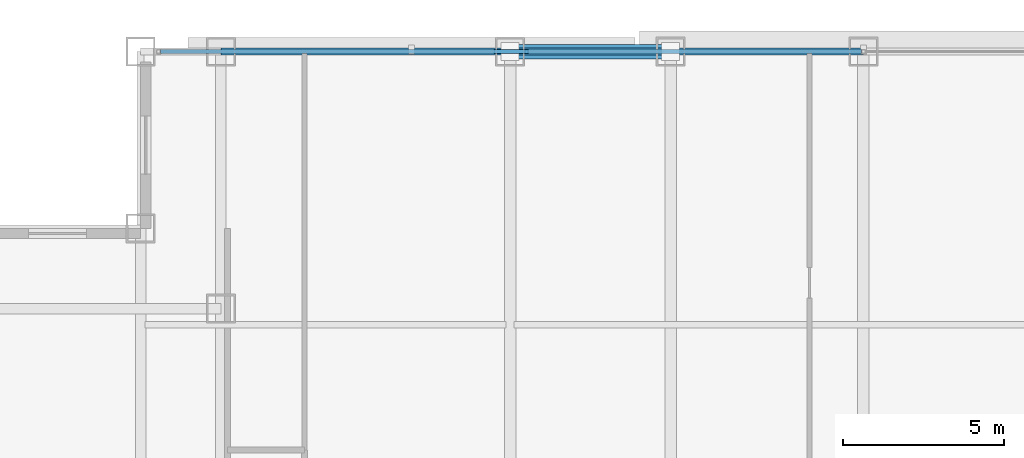
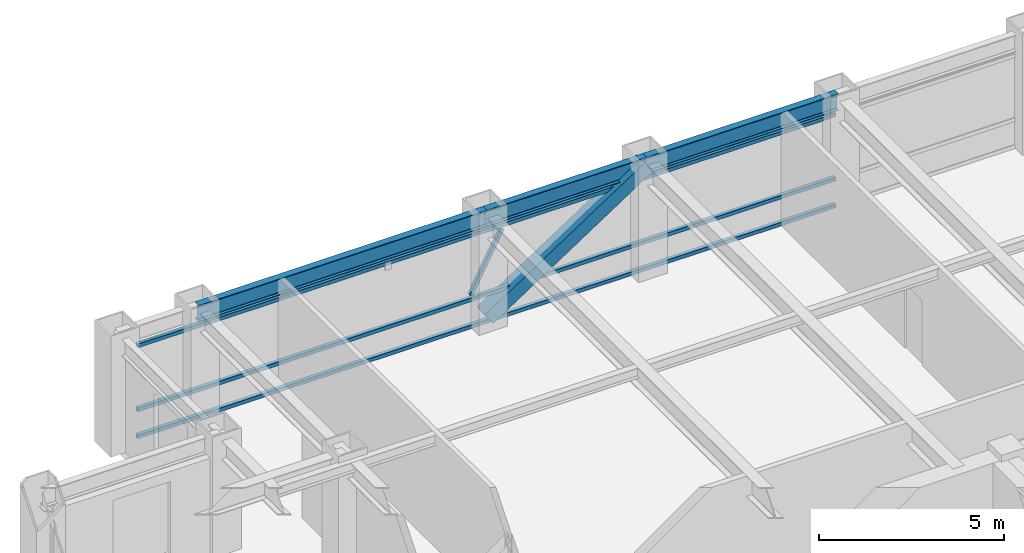
# One storey, part 13 of 27: 5 members, 3 beams, 1 element without a shape of its own.
"""IFC4 building model written with IfcOpenShell, lengths in metres."""

from ifc_helpers import new_model, si_unit, direction, frame, origin, origin_2d, place, context, subcontext, project, spatial, hollow_rectangle, i_section, extrude, source, transform, mapped, material, material_profile, profile_set, type_object, element, aggregate, save


model = new_model("IFC4")

# Units and contexts
model_context = context("Model", 3, precision=1e-05, world=origin(), true_north=direction((0.0, 1.0)))
body_context = subcontext(model_context, "Body", "Model", "MODEL_VIEW")
ifc_project = project(units=[si_unit("LENGTHUNIT", "METRE"), si_unit("AREAUNIT", "SQUARE_METRE"), si_unit("VOLUMEUNIT", "CUBIC_METRE"), si_unit("PLANEANGLEUNIT", "RADIAN"), si_unit("MASSUNIT", "GRAM", prefix="KILO")], contexts=[model_context])

# Site, building, storey
site_placement = place(None, origin())
site = spatial("IfcSite", under=ifc_project, at=site_placement, CompositionType="ELEMENT")
building_placement = place(site_placement, origin())
building = spatial("IfcBuilding", under=site, at=building_placement, Name="Khorayat Bourse Tower", CompositionType="ELEMENT")
storey_placement = place(building_placement, frame((0.0, 0.0, 313.5)))
storey = spatial("IfcBuildingStorey", under=building, at=storey_placement, Name="L74", CompositionType="ELEMENT", Elevation=313.5)

# Member
ifc_material_1 = material(Name="Steel EN 10025-4 S460M", Category="steel")
ifc_material_profile_1 = material_profile(ifc_material_1, hollow_rectangle(XDim=0.449951171875, YDim=0.449951171875, WallThickness=0.02490234375, at=origin_2d()), Name="HSS 450x450x25")
ifc_profile_set_1 = profile_set([ifc_material_profile_1], Name="Steel EN 10025-4 S460M")
member_type_1 = type_object("IfcMemberType", Name="MBR-TUBE-450", PredefinedType="BRACE", material=ifc_profile_set_1)
shared_shape_1 = source(origin(), body_context, "Body", "SweptSolid", [
    extrude(hollow_rectangle(XDim=0.449951171875, YDim=0.449951171875, WallThickness=0.02490234375, at=origin_2d()), origin(), (0.0, 0.0, 1.0), 5.979736328125),
])
member_1_placement = place(storey_placement, frame((-11.0, 28.0, 0.25), z_axis=(0.836141536525, 0.0, 0.548513747227), x_axis=(0.0, 1.0, 0.0)))
element("IfcMember", 1, at=member_1_placement, inside=storey, type_object=member_type_1, Name="L74 Perimeter Tube Brace 03", PredefinedType="BRACE", context=body_context, shape_type="MappedRepresentation", body=[
    mapped(shared_shape_1, transform((0.0, 0.0, 0.0), scale=1.0)),
])

# Beams
ifc_material_2 = material(Name="Steel ASTM A992 Grade 50", Category="steel")
ifc_material_profile_2 = material_profile(ifc_material_2, i_section(OverallWidth=0.214111328125, OverallDepth=0.549072265625, WebThickness=0.0146484375, FlangeThickness=0.023681640625, FilletRadius=0.013916015625, at=origin_2d()), Name="W530X138")
ifc_profile_set_2 = profile_set([ifc_material_profile_2], Name="Steel ASTM A992 Grade 50")
beam_type = type_object("IfcBeamType", Name="BM-SPAN-530", PredefinedType="SPANDREL", material=ifc_profile_set_2)
shared_shape_2 = source(origin(), body_context, "Body", "SweptSolid", [
    extrude(i_section(OverallWidth=0.214111328125, OverallDepth=0.549072265625, WebThickness=0.0146484375, FlangeThickness=0.023681640625, FilletRadius=0.013916015625, at=origin_2d()), origin(), (0.0, 0.0, 1.0), 9.0),
])
beam_1_placement = place(storey_placement, frame((-20.0, 28.0, 3.505615234375), z_axis=(1.0, 0.0, 0.0), x_axis=(0.0, 1.0, 0.0)))
element("IfcBeam", 2, at=beam_1_placement, inside=storey, type_object=beam_type, Name="L74 BM-SPAN-530 BM-L74-SPN-050", PredefinedType="SPANDREL", context=body_context, shape_type="MappedRepresentation", body=[
    mapped(shared_shape_2, transform((0.0, 0.0, 0.0), scale=1.0)),
])
shared_shape_3 = source(origin(), body_context, "Body", "SweptSolid", [
    extrude(i_section(OverallWidth=0.214111328125, OverallDepth=0.549072265625, WebThickness=0.0146484375, FlangeThickness=0.023681640625, FilletRadius=0.013916015625, at=origin_2d()), origin(), (0.0, 0.0, 1.0), 5.0),
])
beam_2_placement = place(storey_placement, frame((-11.0, 28.0, 3.505615234375), z_axis=(1.0, 0.0, 0.0), x_axis=(0.0, 1.0, 0.0)))
element("IfcBeam", 3, at=beam_2_placement, inside=storey, type_object=beam_type, Name="L74 BM-SPAN-530 BM-L74-SPN-049", PredefinedType="SPANDREL", context=body_context, shape_type="MappedRepresentation", body=[
    mapped(shared_shape_3, transform((0.0, 0.0, 0.0), scale=1.0)),
])
shared_shape_4 = source(origin(), body_context, "Body", "SweptSolid", [
    extrude(i_section(OverallWidth=0.214111328125, OverallDepth=0.549072265625, WebThickness=0.0146484375, FlangeThickness=0.023681640625, FilletRadius=0.013916015625, at=origin_2d()), origin(), (0.0, 0.0, 1.0), 6.0),
])
beam_3_placement = place(storey_placement, frame((-6.0, 28.0, 3.505615234375), z_axis=(1.0, 0.0, 0.0), x_axis=(0.0, 1.0, 0.0)))
element("IfcBeam", 4, at=beam_3_placement, inside=storey, type_object=beam_type, Name="L74 BM-SPAN-530 BM-L74-SPN-048", PredefinedType="SPANDREL", context=body_context, shape_type="MappedRepresentation", body=[
    mapped(shared_shape_4, transform((0.0, 0.0, 0.0), scale=1.0)),
])

# Curtain wall, members
ifc_material_3 = material(Name="Aluminium EN AW-6063 T6", Category="aluminium")
curtain_wall_type = type_object("IfcCurtainWallType", Name="CW-SYS-04", PredefinedType="NOTDEFINED", material=ifc_material_3)
curtain_wall_placement = place(storey_placement, origin())
curtain_wall = element("IfcCurtainWall", 5, at=curtain_wall_placement, inside=storey, type_object=curtain_wall_type, Name="L74 Curtain Wall CW-L74-N1", PredefinedType="NOTDEFINED")
ifc_material_profile_3 = material_profile(ifc_material_3, hollow_rectangle(XDim=0.1201171875, YDim=0.1201171875, WallThickness=0.0048828125, at=origin_2d()), Name="ALU 120x120x5")
ifc_profile_set_3 = profile_set([ifc_material_profile_3], Name="Aluminium EN AW-6063 T6")
member_type_2 = type_object("IfcMemberType", Name="CWM-DIAG-120", PredefinedType="MULLION", material=ifc_profile_set_3)
shared_shape_5 = source(origin(), body_context, "Body", "SweptSolid", [
    extrude(hollow_rectangle(XDim=0.1201171875, YDim=0.1201171875, WallThickness=0.0048828125, at=origin_2d()), origin(), (0.0, 0.0, 1.0), 2.0791015625),
])
member_2_placement = place(storey_placement, frame((-11.4541015625, 28.0, 1.090087890625), z_axis=(0.465717394116, 0.0, 0.884933505309), x_axis=(0.0, 1.0, 0.0)))
member_2 = element("IfcMember", 6, at=member_2_placement, type_object=member_type_2, Name="CW-L74-N1 Faceted Diagonal Mullion 1", PredefinedType="MULLION", context=body_context, shape_type="MappedRepresentation", body=[
    mapped(shared_shape_5, transform((0.0, 0.0, 0.0), scale=1.0)),
])
ifc_material_profile_4 = material_profile(ifc_material_3, hollow_rectangle(XDim=0.1201171875, YDim=0.1201171875, WallThickness=0.0048828125, at=origin_2d()), Name="ALU 120x120x5")
ifc_profile_set_4 = profile_set([ifc_material_profile_4], Name="Aluminium EN AW-6063 T6")
member_type_3 = type_object("IfcMemberType", Name="CWT-HORZ-120", PredefinedType="USERDEFINED", material=ifc_profile_set_4)
shared_shape_6 = source(origin(), body_context, "Body", "SweptSolid", [
    extrude(hollow_rectangle(XDim=0.1201171875, YDim=0.1201171875, WallThickness=0.0048828125, at=origin_2d()), origin(), (0.0, 0.0, 1.0), 21.81982421875),
])
member_3_placement = place(storey_placement, frame((-21.8798828125, 28.0, 0.06005859375), z_axis=(1.0, 0.0, 0.0), x_axis=(0.0, 1.0, 0.0)))
member_3 = element("IfcMember", 7, at=member_3_placement, type_object=member_type_3, Name="CW-L74-N1 Horizontal Transom 1-1", ObjectType="TRANSOM", PredefinedType="USERDEFINED", context=body_context, shape_type="MappedRepresentation", body=[
    mapped(shared_shape_6, transform((0.0, 0.0, 0.0), scale=1.0)),
])
member_4_placement = place(storey_placement, frame((-21.8798828125, 28.0, 0.949951171875), z_axis=(1.0, 0.0, 0.0), x_axis=(0.0, 1.0, 0.0)))
member_4 = element("IfcMember", 8, at=member_4_placement, type_object=member_type_3, Name="CW-L74-N1 Horizontal Transom 1-2", ObjectType="TRANSOM", PredefinedType="USERDEFINED", context=body_context, shape_type="MappedRepresentation", body=[
    mapped(shared_shape_6, transform((0.0, 0.0, 0.0), scale=1.0)),
])
member_5_placement = place(storey_placement, frame((-21.8798828125, 28.0, 3.070068359375), z_axis=(1.0, 0.0, 0.0), x_axis=(0.0, 1.0, 0.0)))
member_5 = element("IfcMember", 9, at=member_5_placement, type_object=member_type_3, Name="CW-L74-N1 Horizontal Transom 1-3", ObjectType="TRANSOM", PredefinedType="USERDEFINED", context=body_context, shape_type="MappedRepresentation", body=[
    mapped(shared_shape_6, transform((0.0, 0.0, 0.0), scale=1.0)),
])
aggregate(curtain_wall, [member_3, member_4, member_5, member_2])

save(model, "model.ifc")
